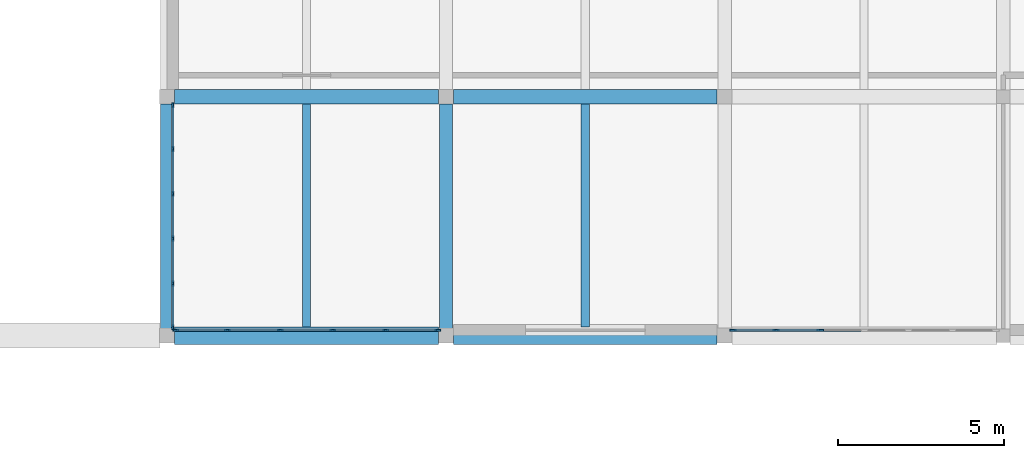
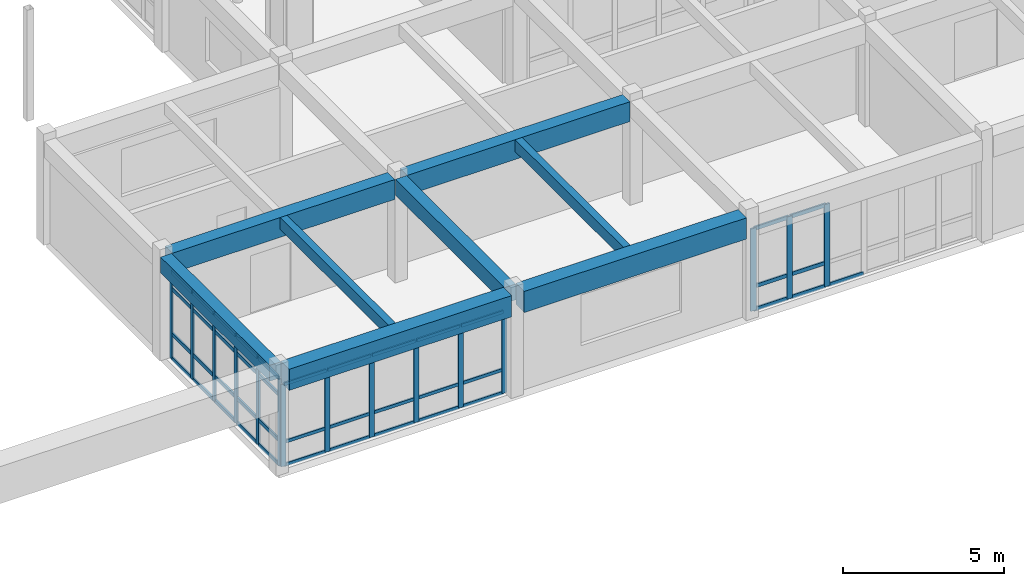
# One storey, part 41 of 147: 57 members, 8 beams, 3 elements without a shape of their own.
"""IFC4 building model written with IfcOpenShell, lengths in metres."""

import ifcopenshell
import ifcopenshell.guid

model = None  # the IFC model being written
_history = None  # IfcOwnerHistory: only IFC2X3 demands one
_inside = {}  # id of a spatial element -> (the spatial element, [elements in it])
_under = {}  # id of a project, library or spatial element -> (it, [spatial elements below it])
_declared = {}  # id of a project -> (the project, [libraries it declares])
_typed = {}  # id of a type object -> (the type object, [elements of that type])
_made_of = {}  # id of a material, layer set ... -> (it, [elements and type objects made of it])


def new_model(schema):
    """Start an empty IFC model of exactly this schema.

    Asked for "IFC4X3", IfcOpenShell would pick the latest addendum, in which some entities
    have other attributes; the version numbers below select the first issue.
    IFC2X3 requires an IfcOwnerHistory on every rooted entity: one is made here for all.
    """
    global model, _history
    if schema == "IFC4X3":
        model = ifcopenshell.file(schema_version=(4, 3, 0, 0))
    else:
        model = ifcopenshell.file(schema=schema)
    _inside.clear()
    _under.clear()
    _declared.clear()
    _typed.clear()
    _made_of.clear()
    _history = None
    if model.schema == "IFC2X3":
        org = make("IfcOrganization", Name="unknown")
        user = make(
            "IfcPersonAndOrganization",
            ThePerson=make("IfcPerson", FamilyName="unknown"),
            TheOrganization=org,
        )
        app = make(
            "IfcApplication",
            ApplicationDeveloper=org,
            Version="unknown",
            ApplicationFullName="unknown",
            ApplicationIdentifier="unknown",
        )
        _history = make(
            "IfcOwnerHistory",
            OwningUser=user,
            OwningApplication=app,
            ChangeAction="ADDED",
            CreationDate=0,
        )
    return model


def make(cls, **values):
    """One entity of the class cls with the attributes given. An attribute that is None is left unset."""
    return model.create_entity(
        cls, **{name: value for name, value in values.items() if value is not None}
    )


def rooted(cls, **values):
    """An entity with a GlobalId (a new one), such as an element, a storey or a relation."""
    return make(cls, GlobalId=ifcopenshell.guid.new(), OwnerHistory=_history, **values)


def si_unit(unit_type, name, prefix=None):
    """IfcSIUnit, for example si_unit("LENGTHUNIT", "METRE", prefix="MILLI")."""
    return make("IfcSIUnit", UnitType=unit_type, Prefix=prefix, Name=name)


def assignment(units):
    """IfcUnitAssignment: the units of a project."""
    return None if units is None else make("IfcUnitAssignment", Units=units)


def point(xyz):
    """IfcCartesianPoint."""
    return None if xyz is None else make("IfcCartesianPoint", Coordinates=xyz)


def direction(xyz):
    """IfcDirection."""
    return None if xyz is None else make("IfcDirection", DirectionRatios=xyz)


def frame(location, z_axis=None, x_axis=None):
    """IfcAxis2Placement3D, a coordinate frame: its origin and axes. An axis left out is left unset."""
    return make(
        "IfcAxis2Placement3D",
        Location=point(location),
        Axis=direction(z_axis),
        RefDirection=direction(x_axis),
    )


def frame_2d(location, x_axis=None):
    """IfcAxis2Placement2D, a coordinate frame in the plane: its origin and x axis."""
    return make(
        "IfcAxis2Placement2D", Location=point(location), RefDirection=direction(x_axis)
    )


def origin():
    """The frame at (0, 0, 0) with its axes left unset."""
    return frame((0.0, 0.0, 0.0))


def origin_2d():
    """The frame at (0, 0) in the plane with its x axis left unset."""
    return frame_2d((0.0, 0.0))


def place(relative_to, where):
    """IfcLocalPlacement: puts the frame where relative to a parent placement (None: the world)."""
    return make(
        "IfcLocalPlacement", PlacementRelTo=relative_to, RelativePlacement=where
    )


def context(
    kind, dimensions, precision=None, world=None, true_north=None, identifier=None
):
    """IfcGeometricRepresentationContext, for example the 3D "Model" context."""
    return make(
        "IfcGeometricRepresentationContext",
        ContextIdentifier=identifier,
        ContextType=kind,
        CoordinateSpaceDimension=dimensions,
        Precision=precision,
        WorldCoordinateSystem=world,
        TrueNorth=true_north,
    )


def subcontext(parent, identifier, kind, view, scale=None):
    """IfcGeometricRepresentationSubContext, for example "Body" below "Model"."""
    return make(
        "IfcGeometricRepresentationSubContext",
        ContextIdentifier=identifier,
        ContextType=kind,
        ParentContext=parent,
        TargetScale=scale,
        TargetView=view,
    )


def project(units=None, contexts=None):
    """IfcProject with its units and contexts."""
    return rooted(
        "IfcProject",
        Name="project",
        RepresentationContexts=contexts,
        UnitsInContext=assignment(units),
    )


def spatial(cls, under=None, at=None, **own):
    """A site, building, storey or space (cls), placed at a placement, below another one or the project."""
    s = rooted(cls, ObjectPlacement=at, **own)
    if under is not None:
        _under.setdefault(under.id(), (under, []))[1].append(s)
    return s


def profile(cls, at=None, kind="AREA", **sizes):
    """A parametric profile (cls). Its sizes go by their IFC names, for example OverallWidth=200.0."""
    return make(cls, ProfileType=kind, Position=at, **sizes)


def rectangle(**sizes):
    """IfcRectangleProfileDef."""
    return profile("IfcRectangleProfileDef", **sizes)


def extrude(swept, where, along, depth):
    """IfcExtrudedAreaSolid: the profile swept, set in the frame where, extruded along a direction by depth."""
    return make(
        "IfcExtrudedAreaSolid",
        SweptArea=swept,
        Position=where,
        ExtrudedDirection=direction(along),
        Depth=depth,
    )


def shape(context_of_items, identifier, shape_type, items):
    """IfcShapeRepresentation: the items that make up one representation, for example the "Body"."""
    return make(
        "IfcShapeRepresentation",
        ContextOfItems=context_of_items,
        RepresentationIdentifier=identifier,
        RepresentationType=shape_type,
        Items=items,
    )


def material(Name=None, Category=None):
    """IfcMaterial."""
    return make("IfcMaterial", Name=Name, Category=Category)


def material_profile(
    of_material, cross_section, Name=None, Category=None, Priority=None
):
    """IfcMaterialProfile: a cross section and its material."""
    return make(
        "IfcMaterialProfile",
        Name=Name,
        Material=of_material,
        Profile=cross_section,
        Priority=Priority,
        Category=Category,
    )


def profile_set(profiles, Name=None, composite=None):
    """IfcMaterialProfileSet."""
    return make(
        "IfcMaterialProfileSet",
        Name=Name,
        MaterialProfiles=profiles,
        CompositeProfile=composite,
    )


def made_of(thing, what):
    """Note that an element or type object is made of a material, layer set ...; save() writes the relation."""
    if what is not None:
        _made_of.setdefault(what.id(), (what, []))[1].append(thing)
    return thing


def type_object(cls, material=None, **own):
    """A type object (cls), such as IfcWallType, which elements share."""
    return made_of(rooted(cls, **own), material)


def element(
    cls,
    number,
    at=None,
    inside=None,
    cuts=None,
    type_object=None,
    material=None,
    context=None,
    identifier="Body",
    shape_type=None,
    held_by="IfcProductDefinitionShape",
    body=None,
    shapes=None,
    **own,
):
    """One element of the class cls, such as IfcWall. Its Tag is "e" and its number.

    at: its placement. inside: the storey or other place that contains it. cuts: it is an
    opening in that element (IfcRelVoidsElement). A single representation is given by context,
    identifier, shape_type and body (its items); several are given by shapes. held_by: the class
    of the entity that holds the representations. save() writes the other relations.
    """
    e = rooted(cls, Tag="e%d" % number, ObjectPlacement=at, **own)
    if body is not None:
        shapes = [shape(context, identifier, shape_type, body)]
    if shapes is not None:
        e.Representation = make(held_by, Representations=shapes)
    if inside is not None:
        _inside.setdefault(inside.id(), (inside, []))[1].append(e)
    if cuts is not None:
        rooted(
            "IfcRelVoidsElement", RelatingBuildingElement=cuts, RelatedOpeningElement=e
        )
    if type_object is not None:
        _typed.setdefault(type_object.id(), (type_object, []))[1].append(e)
    return made_of(e, material)


def aggregate(whole, parts):
    """IfcRelAggregates: a whole, such as a stair, and the parts it consists of."""
    return rooted("IfcRelAggregates", RelatingObject=whole, RelatedObjects=parts)


def save(model, path):
    """Write the relations noted so far, then the file.

    IfcRelAggregates (storeys below a building ...), IfcRelContainedInSpatialStructure (elements
    in a storey), IfcRelDefinesByType, IfcRelAssociatesMaterial and IfcRelDeclares: one each for
    every whole, place, type object, material and project.
    """
    for whole, parts in _under.values():
        aggregate(whole, parts)
    for where, things in _inside.values():
        rooted(
            "IfcRelContainedInSpatialStructure",
            RelatedElements=things,
            RelatingStructure=where,
        )
    for kind, things in _typed.values():
        rooted("IfcRelDefinesByType", RelatedObjects=things, RelatingType=kind)
    for what, things in _made_of.values():
        rooted("IfcRelAssociatesMaterial", RelatedObjects=things, RelatingMaterial=what)
    for by, libraries in _declared.values():
        rooted("IfcRelDeclares", RelatingContext=by, RelatedDefinitions=libraries)
    model.write(path)


model = new_model("IFC4")

# Units and contexts
model_context = context("Model", 3, precision=1e-05, world=origin(), true_north=direction((0.0, 1.0)))
body_context = subcontext(model_context, "Body", "Model", "MODEL_VIEW")
ifc_project = project(units=[si_unit("LENGTHUNIT", "METRE"), si_unit("AREAUNIT", "SQUARE_METRE"), si_unit("VOLUMEUNIT", "CUBIC_METRE"), si_unit("PLANEANGLEUNIT", "RADIAN"), si_unit("MASSUNIT", "GRAM", prefix="KILO")], contexts=[model_context])

# Site, building, storey
site_placement = place(None, origin())
site = spatial("IfcSite", under=ifc_project, at=site_placement, CompositionType="ELEMENT")
building_placement = place(site_placement, origin())
building = spatial("IfcBuilding", under=site, at=building_placement, Name="Malvenik Polytechnic", CompositionType="ELEMENT")
storey_placement = place(building_placement, frame((0.0, 0.0, 5.10009765625)))
storey = spatial("IfcBuildingStorey", under=building, at=storey_placement, Name="L01", CompositionType="ELEMENT", Elevation=5.10009765625)

# Curtain wall, members
ifc_material_1 = material(Name="Anodised aluminium 6060-T6", Category="aluminium")
curtain_wall_type_1 = type_object("IfcCurtainWallType", Name="ARC-CW-CW-05", PredefinedType="NOTDEFINED", material=ifc_material_1)
curtain_wall_1_placement = place(storey_placement, origin())
curtain_wall_1 = element("IfcCurtainWall", 1, at=curtain_wall_1_placement, inside=storey, type_object=curtain_wall_type_1, Name="Unitised Curtain Wall CW-05 L01 #116", PredefinedType="NOTDEFINED")
ifc_material_2 = material(Name="Anodised aluminium", Category="aluminium")
ifc_material_profile_1 = material_profile(ifc_material_2, rectangle(XDim=0.06005859375, YDim=0.159912109375, at=origin_2d()), Name="ALU MULLION 60x160")
ifc_profile_set_1 = profile_set([ifc_material_profile_1], Name="Anodised aluminium")
member_type_1 = type_object("IfcMemberType", Name="ARC-CWM-160", PredefinedType="MULLION", material=ifc_profile_set_1)
member_1_placement = place(storey_placement, frame((67.3701171875, 21.85302734375, 0.0), z_axis=(0.0, 0.0, 1.0), x_axis=(-1.0, 0.0, 0.0)))
member_1 = element("IfcMember", 2, at=member_1_placement, type_object=member_type_1, Name="CW-05 mullion 1", PredefinedType="MULLION", context=body_context, shape_type="SweptSolid", body=[
    extrude(rectangle(XDim=0.06005859375, YDim=0.159912109375, at=origin_2d()), origin(), (0.0, 0.0, 1.0), 3.309814453125),
])
member_2_placement = place(storey_placement, frame((67.3701171875, 23.173828125, 0.0), z_axis=(0.0, 0.0, 1.0), x_axis=(-1.0, 0.0, 0.0)))
member_2 = element("IfcMember", 3, at=member_2_placement, type_object=member_type_1, Name="CW-05 mullion 2", PredefinedType="MULLION", context=body_context, shape_type="SweptSolid", body=[
    extrude(rectangle(XDim=0.06005859375, YDim=0.159912109375, at=origin_2d()), origin(), (0.0, 0.0, 1.0), 3.309814453125),
])
member_3_placement = place(storey_placement, frame((67.3701171875, 24.524658203125, 0.0), z_axis=(0.0, 0.0, 1.0), x_axis=(-1.0, 0.0, 0.0)))
member_3 = element("IfcMember", 4, at=member_3_placement, type_object=member_type_1, Name="CW-05 mullion 3", PredefinedType="MULLION", context=body_context, shape_type="SweptSolid", body=[
    extrude(rectangle(XDim=0.06005859375, YDim=0.159912109375, at=origin_2d()), origin(), (0.0, 0.0, 1.0), 3.309814453125),
])
member_4_placement = place(storey_placement, frame((67.3701171875, 25.87548828125, 0.0), z_axis=(0.0, 0.0, 1.0), x_axis=(-1.0, 0.0, 0.0)))
member_4 = element("IfcMember", 5, at=member_4_placement, type_object=member_type_1, Name="CW-05 mullion 4", PredefinedType="MULLION", context=body_context, shape_type="SweptSolid", body=[
    extrude(rectangle(XDim=0.06005859375, YDim=0.159912109375, at=origin_2d()), origin(), (0.0, 0.0, 1.0), 3.309814453125),
])
member_5_placement = place(storey_placement, frame((67.3701171875, 27.226318359375, 0.0), z_axis=(0.0, 0.0, 1.0), x_axis=(-1.0, 0.0, 0.0)))
member_5 = element("IfcMember", 6, at=member_5_placement, type_object=member_type_1, Name="CW-05 mullion 5", PredefinedType="MULLION", context=body_context, shape_type="SweptSolid", body=[
    extrude(rectangle(XDim=0.06005859375, YDim=0.159912109375, at=origin_2d()), origin(), (0.0, 0.0, 1.0), 3.309814453125),
])
member_6_placement = place(storey_placement, frame((67.3701171875, 28.547119140625, 0.0), z_axis=(0.0, 0.0, 1.0), x_axis=(-1.0, 0.0, 0.0)))
member_6 = element("IfcMember", 7, at=member_6_placement, type_object=member_type_1, Name="CW-05 mullion 6", PredefinedType="MULLION", context=body_context, shape_type="SweptSolid", body=[
    extrude(rectangle(XDim=0.06005859375, YDim=0.159912109375, at=origin_2d()), origin(), (0.0, 0.0, 1.0), 3.309814453125),
])

curtain_wall_type_2 = type_object("IfcCurtainWallType", Name="ARC-CW-CW-02", PredefinedType="NOTDEFINED", material=ifc_material_1)
curtain_wall_2_placement = place(storey_placement, origin())
curtain_wall_2 = element("IfcCurtainWall", 8, at=curtain_wall_2_placement, inside=storey, type_object=curtain_wall_type_2, Name="Unitised Curtain Wall CW-02 L01 #115", PredefinedType="NOTDEFINED")
ifc_material_profile_2 = material_profile(ifc_material_2, rectangle(XDim=0.06005859375, YDim=0.179931640625, at=origin_2d()), Name="ALU MULLION 60x180")
ifc_profile_set_2 = profile_set([ifc_material_profile_2], Name="Anodised aluminium")
member_type_2 = type_object("IfcMemberType", Name="ARC-CWM-180", PredefinedType="MULLION", material=ifc_profile_set_2)
member_7_placement = place(storey_placement, frame((75.346923828125, 21.77001953125, 0.0), z_axis=(0.0, 0.0, 1.0), x_axis=(0.0, -1.0, 0.0)))
member_7 = element("IfcMember", 9, at=member_7_placement, type_object=member_type_2, Name="CW-02 mullion 1", PredefinedType="MULLION", context=body_context, shape_type="SweptSolid", body=[
    extrude(rectangle(XDim=0.06005859375, YDim=0.179931640625, at=origin_2d()), origin(), (0.0, 0.0, 1.0), 3.10986328125),
])
member_8_placement = place(storey_placement, frame((73.7861328125, 21.77001953125, 0.0), z_axis=(0.0, 0.0, 1.0), x_axis=(0.0, -1.0, 0.0)))
member_8 = element("IfcMember", 10, at=member_8_placement, type_object=member_type_2, Name="CW-02 mullion 2", PredefinedType="MULLION", context=body_context, shape_type="SweptSolid", body=[
    extrude(rectangle(XDim=0.06005859375, YDim=0.179931640625, at=origin_2d()), origin(), (0.0, 0.0, 1.0), 3.10986328125),
])
member_9_placement = place(storey_placement, frame((72.1953125, 21.77001953125, 0.0), z_axis=(0.0, 0.0, 1.0), x_axis=(0.0, -1.0, 0.0)))
member_9 = element("IfcMember", 11, at=member_9_placement, type_object=member_type_2, Name="CW-02 mullion 3", PredefinedType="MULLION", context=body_context, shape_type="SweptSolid", body=[
    extrude(rectangle(XDim=0.06005859375, YDim=0.179931640625, at=origin_2d()), origin(), (0.0, 0.0, 1.0), 3.10986328125),
])
member_10_placement = place(storey_placement, frame((70.6044921875, 21.77001953125, 0.0), z_axis=(0.0, 0.0, 1.0), x_axis=(0.0, -1.0, 0.0)))
member_10 = element("IfcMember", 12, at=member_10_placement, type_object=member_type_2, Name="CW-02 mullion 4", PredefinedType="MULLION", context=body_context, shape_type="SweptSolid", body=[
    extrude(rectangle(XDim=0.06005859375, YDim=0.179931640625, at=origin_2d()), origin(), (0.0, 0.0, 1.0), 3.10986328125),
])
member_11_placement = place(storey_placement, frame((69.013916015625, 21.77001953125, 0.0), z_axis=(0.0, 0.0, 1.0), x_axis=(0.0, -1.0, 0.0)))
member_11 = element("IfcMember", 13, at=member_11_placement, type_object=member_type_2, Name="CW-02 mullion 5", PredefinedType="MULLION", context=body_context, shape_type="SweptSolid", body=[
    extrude(rectangle(XDim=0.06005859375, YDim=0.179931640625, at=origin_2d()), origin(), (0.0, 0.0, 1.0), 3.10986328125),
])
member_12_placement = place(storey_placement, frame((67.452880859375, 21.77001953125, 0.0), z_axis=(0.0, 0.0, 1.0), x_axis=(0.0, -1.0, 0.0)))
member_12 = element("IfcMember", 14, at=member_12_placement, type_object=member_type_2, Name="CW-02 mullion 6", PredefinedType="MULLION", context=body_context, shape_type="SweptSolid", body=[
    extrude(rectangle(XDim=0.06005859375, YDim=0.179931640625, at=origin_2d()), origin(), (0.0, 0.0, 1.0), 3.10986328125),
])

curtain_wall_3_placement = place(storey_placement, origin())
curtain_wall_3 = element("IfcCurtainWall", 15, at=curtain_wall_3_placement, inside=storey, type_object=curtain_wall_type_2, Name="Unitised Curtain Wall CW-02 L01 #114", PredefinedType="NOTDEFINED")
ifc_material_profile_3 = material_profile(ifc_material_2, rectangle(XDim=0.06005859375, YDim=0.199951171875, at=origin_2d()), Name="ALU MULLION 60x200")
ifc_profile_set_3 = profile_set([ifc_material_profile_3], Name="Anodised aluminium")
member_type_3 = type_object("IfcMemberType", Name="ARC-CWM-200", PredefinedType="MULLION", material=ifc_profile_set_3)
member_13_placement = place(storey_placement, frame((86.882568359375, 21.77001953125, 0.0), z_axis=(0.0, 0.0, 1.0), x_axis=(0.0, -1.0, 0.0)))
member_13 = element("IfcMember", 16, at=member_13_placement, type_object=member_type_3, Name="CW-02 mullion 5", PredefinedType="MULLION", context=body_context, shape_type="SweptSolid", body=[
    extrude(rectangle(XDim=0.06005859375, YDim=0.199951171875, at=origin_2d()), origin(), (0.0, 0.0, 1.0), 3.10986328125),
])
member_14_placement = place(storey_placement, frame((85.552734375, 21.77001953125, 0.0), z_axis=(0.0, 0.0, 1.0), x_axis=(0.0, -1.0, 0.0)))
member_14 = element("IfcMember", 17, at=member_14_placement, type_object=member_type_3, Name="CW-02 mullion 6", PredefinedType="MULLION", context=body_context, shape_type="SweptSolid", body=[
    extrude(rectangle(XDim=0.06005859375, YDim=0.199951171875, at=origin_2d()), origin(), (0.0, 0.0, 1.0), 3.10986328125),
])
member_15_placement = place(storey_placement, frame((84.2529296875, 21.77001953125, 0.0), z_axis=(0.0, 0.0, 1.0), x_axis=(0.0, -1.0, 0.0)))
member_15 = element("IfcMember", 18, at=member_15_placement, type_object=member_type_3, Name="CW-02 mullion 7", PredefinedType="MULLION", context=body_context, shape_type="SweptSolid", body=[
    extrude(rectangle(XDim=0.06005859375, YDim=0.199951171875, at=origin_2d()), origin(), (0.0, 0.0, 1.0), 3.10986328125),
])

# Member
ifc_material_profile_4 = material_profile(ifc_material_2, rectangle(XDim=0.06005859375, YDim=0.1201171875, at=origin_2d()), Name="ALU TRANSOM 60x120")
ifc_profile_set_4 = profile_set([ifc_material_profile_4], Name="Anodised aluminium")
member_type_4 = type_object("IfcMemberType", Name="ARC-CWT-120", PredefinedType="USERDEFINED", material=ifc_profile_set_4)
member_16_placement = place(storey_placement, frame((75.31689453125, 21.77001953125, 0.02978515625), z_axis=(-1.0, 0.0, 0.0), x_axis=(0.0, -1.0, 0.0)))
member_16 = element("IfcMember", 19, at=member_16_placement, type_object=member_type_4, Name="CW-02 transom 1.1", ObjectType="TRANSOM", PredefinedType="USERDEFINED", context=body_context, shape_type="SweptSolid", body=[
    extrude(rectangle(XDim=0.06005859375, YDim=0.1201171875, at=origin_2d()), origin(), (0.0, 0.0, 1.0), 1.500732421875),
])

member_17_placement = place(storey_placement, frame((75.31689453125, 21.77001953125, 0.89990234375), z_axis=(-1.0, 0.0, 0.0), x_axis=(0.0, -1.0, 0.0)))
member_17 = element("IfcMember", 20, at=member_17_placement, type_object=member_type_4, Name="CW-02 transom 1.2", ObjectType="TRANSOM", PredefinedType="USERDEFINED", context=body_context, shape_type="SweptSolid", body=[
    extrude(rectangle(XDim=0.06005859375, YDim=0.1201171875, at=origin_2d()), origin(), (0.0, 0.0, 1.0), 1.500732421875),
])

member_18_placement = place(storey_placement, frame((75.31689453125, 21.77001953125, 3.079833984375), z_axis=(-1.0, 0.0, 0.0), x_axis=(0.0, -1.0, 0.0)))
member_18 = element("IfcMember", 21, at=member_18_placement, type_object=member_type_4, Name="CW-02 transom 1.3", ObjectType="TRANSOM", PredefinedType="USERDEFINED", context=body_context, shape_type="SweptSolid", body=[
    extrude(rectangle(XDim=0.06005859375, YDim=0.1201171875, at=origin_2d()), origin(), (0.0, 0.0, 1.0), 1.500732421875),
])

member_19_placement = place(storey_placement, frame((73.756103515625, 21.77001953125, 0.02978515625), z_axis=(-1.0, 0.0, 0.0), x_axis=(0.0, -1.0, 0.0)))
member_19 = element("IfcMember", 22, at=member_19_placement, type_object=member_type_4, Name="CW-02 transom 2.1", ObjectType="TRANSOM", PredefinedType="USERDEFINED", context=body_context, shape_type="SweptSolid", body=[
    extrude(rectangle(XDim=0.06005859375, YDim=0.1201171875, at=origin_2d()), origin(), (0.0, 0.0, 1.0), 1.53076171875),
])

member_20_placement = place(storey_placement, frame((73.756103515625, 21.77001953125, 0.89990234375), z_axis=(-1.0, 0.0, 0.0), x_axis=(0.0, -1.0, 0.0)))
member_20 = element("IfcMember", 23, at=member_20_placement, type_object=member_type_4, Name="CW-02 transom 2.2", ObjectType="TRANSOM", PredefinedType="USERDEFINED", context=body_context, shape_type="SweptSolid", body=[
    extrude(rectangle(XDim=0.06005859375, YDim=0.1201171875, at=origin_2d()), origin(), (0.0, 0.0, 1.0), 1.53076171875),
])

member_21_placement = place(storey_placement, frame((73.756103515625, 21.77001953125, 3.079833984375), z_axis=(-1.0, 0.0, 0.0), x_axis=(0.0, -1.0, 0.0)))
member_21 = element("IfcMember", 24, at=member_21_placement, type_object=member_type_4, Name="CW-02 transom 2.3", ObjectType="TRANSOM", PredefinedType="USERDEFINED", context=body_context, shape_type="SweptSolid", body=[
    extrude(rectangle(XDim=0.06005859375, YDim=0.1201171875, at=origin_2d()), origin(), (0.0, 0.0, 1.0), 1.53076171875),
])

member_22_placement = place(storey_placement, frame((72.165283203125, 21.77001953125, 0.02978515625), z_axis=(-1.0, 0.0, 0.0), x_axis=(0.0, -1.0, 0.0)))
member_22 = element("IfcMember", 25, at=member_22_placement, type_object=member_type_4, Name="CW-02 transom 3.1", ObjectType="TRANSOM", PredefinedType="USERDEFINED", context=body_context, shape_type="SweptSolid", body=[
    extrude(rectangle(XDim=0.06005859375, YDim=0.1201171875, at=origin_2d()), origin(), (0.0, 0.0, 1.0), 1.53076171875),
])

member_23_placement = place(storey_placement, frame((72.165283203125, 21.77001953125, 0.89990234375), z_axis=(-1.0, 0.0, 0.0), x_axis=(0.0, -1.0, 0.0)))
member_23 = element("IfcMember", 26, at=member_23_placement, type_object=member_type_4, Name="CW-02 transom 3.2", ObjectType="TRANSOM", PredefinedType="USERDEFINED", context=body_context, shape_type="SweptSolid", body=[
    extrude(rectangle(XDim=0.06005859375, YDim=0.1201171875, at=origin_2d()), origin(), (0.0, 0.0, 1.0), 1.53076171875),
])

member_24_placement = place(storey_placement, frame((72.165283203125, 21.77001953125, 3.079833984375), z_axis=(-1.0, 0.0, 0.0), x_axis=(0.0, -1.0, 0.0)))
member_24 = element("IfcMember", 27, at=member_24_placement, type_object=member_type_4, Name="CW-02 transom 3.3", ObjectType="TRANSOM", PredefinedType="USERDEFINED", context=body_context, shape_type="SweptSolid", body=[
    extrude(rectangle(XDim=0.06005859375, YDim=0.1201171875, at=origin_2d()), origin(), (0.0, 0.0, 1.0), 1.53076171875),
])

member_25_placement = place(storey_placement, frame((70.57470703125, 21.77001953125, 0.02978515625), z_axis=(-1.0, 0.0, 0.0), x_axis=(0.0, -1.0, 0.0)))
member_25 = element("IfcMember", 28, at=member_25_placement, type_object=member_type_4, Name="CW-02 transom 4.1", ObjectType="TRANSOM", PredefinedType="USERDEFINED", context=body_context, shape_type="SweptSolid", body=[
    extrude(rectangle(XDim=0.06005859375, YDim=0.1201171875, at=origin_2d()), origin(), (0.0, 0.0, 1.0), 1.531005859375),
])

member_26_placement = place(storey_placement, frame((70.57470703125, 21.77001953125, 0.89990234375), z_axis=(-1.0, 0.0, 0.0), x_axis=(0.0, -1.0, 0.0)))
member_26 = element("IfcMember", 29, at=member_26_placement, type_object=member_type_4, Name="CW-02 transom 4.2", ObjectType="TRANSOM", PredefinedType="USERDEFINED", context=body_context, shape_type="SweptSolid", body=[
    extrude(rectangle(XDim=0.06005859375, YDim=0.1201171875, at=origin_2d()), origin(), (0.0, 0.0, 1.0), 1.531005859375),
])

member_27_placement = place(storey_placement, frame((70.57470703125, 21.77001953125, 3.079833984375), z_axis=(-1.0, 0.0, 0.0), x_axis=(0.0, -1.0, 0.0)))
member_27 = element("IfcMember", 30, at=member_27_placement, type_object=member_type_4, Name="CW-02 transom 4.3", ObjectType="TRANSOM", PredefinedType="USERDEFINED", context=body_context, shape_type="SweptSolid", body=[
    extrude(rectangle(XDim=0.06005859375, YDim=0.1201171875, at=origin_2d()), origin(), (0.0, 0.0, 1.0), 1.531005859375),
])

member_28_placement = place(storey_placement, frame((68.98388671875, 21.77001953125, 0.02978515625), z_axis=(-1.0, 0.0, 0.0), x_axis=(0.0, -1.0, 0.0)))
member_28 = element("IfcMember", 31, at=member_28_placement, type_object=member_type_4, Name="CW-02 transom 5.1", ObjectType="TRANSOM", PredefinedType="USERDEFINED", context=body_context, shape_type="SweptSolid", body=[
    extrude(rectangle(XDim=0.06005859375, YDim=0.1201171875, at=origin_2d()), origin(), (0.0, 0.0, 1.0), 1.5009765625),
])

member_29_placement = place(storey_placement, frame((68.98388671875, 21.77001953125, 0.89990234375), z_axis=(-1.0, 0.0, 0.0), x_axis=(0.0, -1.0, 0.0)))
member_29 = element("IfcMember", 32, at=member_29_placement, type_object=member_type_4, Name="CW-02 transom 5.2", ObjectType="TRANSOM", PredefinedType="USERDEFINED", context=body_context, shape_type="SweptSolid", body=[
    extrude(rectangle(XDim=0.06005859375, YDim=0.1201171875, at=origin_2d()), origin(), (0.0, 0.0, 1.0), 1.5009765625),
])

member_30_placement = place(storey_placement, frame((68.98388671875, 21.77001953125, 3.079833984375), z_axis=(-1.0, 0.0, 0.0), x_axis=(0.0, -1.0, 0.0)))
member_30 = element("IfcMember", 33, at=member_30_placement, type_object=member_type_4, Name="CW-02 transom 5.3", ObjectType="TRANSOM", PredefinedType="USERDEFINED", context=body_context, shape_type="SweptSolid", body=[
    extrude(rectangle(XDim=0.06005859375, YDim=0.1201171875, at=origin_2d()), origin(), (0.0, 0.0, 1.0), 1.5009765625),
])

aggregate(curtain_wall_2, [member_7, member_8, member_9, member_10, member_11, member_12, member_16, member_17, member_18, member_19, member_20, member_21, member_22, member_23, member_24, member_25, member_26, member_27, member_28, member_29, member_30])

ifc_material_profile_5 = material_profile(ifc_material_2, rectangle(XDim=0.06005859375, YDim=0.139892578125, at=origin_2d()), Name="ALU TRANSOM 60x140")
ifc_profile_set_5 = profile_set([ifc_material_profile_5], Name="Anodised aluminium")
member_type_5 = type_object("IfcMemberType", Name="ARC-CWT-140", PredefinedType="USERDEFINED", material=ifc_profile_set_5)
member_31_placement = place(storey_placement, frame((88.1826171875, 21.77001953125, 0.02978515625), z_axis=(-1.0, 0.0, 0.0), x_axis=(0.0, -1.0, 0.0)))
member_31 = element("IfcMember", 34, at=member_31_placement, type_object=member_type_5, Name="CW-02 transom 4.1", ObjectType="TRANSOM", PredefinedType="USERDEFINED", context=body_context, shape_type="SweptSolid", body=[
    extrude(rectangle(XDim=0.06005859375, YDim=0.139892578125, at=origin_2d()), origin(), (0.0, 0.0, 1.0), 1.27001953125),
])

member_32_placement = place(storey_placement, frame((86.852783203125, 21.77001953125, 0.02978515625), z_axis=(-1.0, 0.0, 0.0), x_axis=(0.0, -1.0, 0.0)))
member_32 = element("IfcMember", 35, at=member_32_placement, type_object=member_type_5, Name="CW-02 transom 5.1", ObjectType="TRANSOM", PredefinedType="USERDEFINED", context=body_context, shape_type="SweptSolid", body=[
    extrude(rectangle(XDim=0.06005859375, YDim=0.139892578125, at=origin_2d()), origin(), (0.0, 0.0, 1.0), 1.27001953125),
])

member_33_placement = place(storey_placement, frame((86.852783203125, 21.77001953125, 0.89990234375), z_axis=(-1.0, 0.0, 0.0), x_axis=(0.0, -1.0, 0.0)))
member_33 = element("IfcMember", 36, at=member_33_placement, type_object=member_type_5, Name="CW-02 transom 5.2", ObjectType="TRANSOM", PredefinedType="USERDEFINED", context=body_context, shape_type="SweptSolid", body=[
    extrude(rectangle(XDim=0.06005859375, YDim=0.139892578125, at=origin_2d()), origin(), (0.0, 0.0, 1.0), 1.27001953125),
])

member_34_placement = place(storey_placement, frame((86.852783203125, 21.77001953125, 3.079833984375), z_axis=(-1.0, 0.0, 0.0), x_axis=(0.0, -1.0, 0.0)))
member_34 = element("IfcMember", 37, at=member_34_placement, type_object=member_type_5, Name="CW-02 transom 5.3", ObjectType="TRANSOM", PredefinedType="USERDEFINED", context=body_context, shape_type="SweptSolid", body=[
    extrude(rectangle(XDim=0.06005859375, YDim=0.139892578125, at=origin_2d()), origin(), (0.0, 0.0, 1.0), 1.27001953125),
])

member_35_placement = place(storey_placement, frame((85.52294921875, 21.77001953125, 0.02978515625), z_axis=(-1.0, 0.0, 0.0), x_axis=(0.0, -1.0, 0.0)))
member_35 = element("IfcMember", 38, at=member_35_placement, type_object=member_type_5, Name="CW-02 transom 6.1", ObjectType="TRANSOM", PredefinedType="USERDEFINED", context=body_context, shape_type="SweptSolid", body=[
    extrude(rectangle(XDim=0.06005859375, YDim=0.139892578125, at=origin_2d()), origin(), (0.0, 0.0, 1.0), 1.239990234375),
])

member_36_placement = place(storey_placement, frame((85.52294921875, 21.77001953125, 0.89990234375), z_axis=(-1.0, 0.0, 0.0), x_axis=(0.0, -1.0, 0.0)))
member_36 = element("IfcMember", 39, at=member_36_placement, type_object=member_type_5, Name="CW-02 transom 6.2", ObjectType="TRANSOM", PredefinedType="USERDEFINED", context=body_context, shape_type="SweptSolid", body=[
    extrude(rectangle(XDim=0.06005859375, YDim=0.139892578125, at=origin_2d()), origin(), (0.0, 0.0, 1.0), 1.239990234375),
])

member_37_placement = place(storey_placement, frame((85.52294921875, 21.77001953125, 3.079833984375), z_axis=(-1.0, 0.0, 0.0), x_axis=(0.0, -1.0, 0.0)))
member_37 = element("IfcMember", 40, at=member_37_placement, type_object=member_type_5, Name="CW-02 transom 6.3", ObjectType="TRANSOM", PredefinedType="USERDEFINED", context=body_context, shape_type="SweptSolid", body=[
    extrude(rectangle(XDim=0.06005859375, YDim=0.139892578125, at=origin_2d()), origin(), (0.0, 0.0, 1.0), 1.239990234375),
])

aggregate(curtain_wall_3, [member_13, member_14, member_15, member_31, member_32, member_33, member_34, member_35, member_36, member_37])

member_38_placement = place(storey_placement, frame((67.3701171875, 21.883056640625, 0.02978515625), z_axis=(0.0, 1.0, 0.0), x_axis=(-1.0, 0.0, 0.0)))
member_38 = element("IfcMember", 41, at=member_38_placement, type_object=member_type_5, Name="CW-05 transom 1.1", ObjectType="TRANSOM", PredefinedType="USERDEFINED", context=body_context, shape_type="SweptSolid", body=[
    extrude(rectangle(XDim=0.06005859375, YDim=0.139892578125, at=origin_2d()), origin(), (0.0, 0.0, 1.0), 1.2607421875),
])

member_39_placement = place(storey_placement, frame((67.3701171875, 21.883056640625, 0.949951171875), z_axis=(0.0, 1.0, 0.0), x_axis=(-1.0, 0.0, 0.0)))
member_39 = element("IfcMember", 42, at=member_39_placement, type_object=member_type_5, Name="CW-05 transom 1.2", ObjectType="TRANSOM", PredefinedType="USERDEFINED", context=body_context, shape_type="SweptSolid", body=[
    extrude(rectangle(XDim=0.06005859375, YDim=0.139892578125, at=origin_2d()), origin(), (0.0, 0.0, 1.0), 1.2607421875),
])

member_40_placement = place(storey_placement, frame((67.3701171875, 21.883056640625, 2.659912109375), z_axis=(0.0, 1.0, 0.0), x_axis=(-1.0, 0.0, 0.0)))
member_40 = element("IfcMember", 43, at=member_40_placement, type_object=member_type_5, Name="CW-05 transom 1.3", ObjectType="TRANSOM", PredefinedType="USERDEFINED", context=body_context, shape_type="SweptSolid", body=[
    extrude(rectangle(XDim=0.06005859375, YDim=0.139892578125, at=origin_2d()), origin(), (0.0, 0.0, 1.0), 1.2607421875),
])

member_41_placement = place(storey_placement, frame((67.3701171875, 21.883056640625, 3.27978515625), z_axis=(0.0, 1.0, 0.0), x_axis=(-1.0, 0.0, 0.0)))
member_41 = element("IfcMember", 44, at=member_41_placement, type_object=member_type_5, Name="CW-05 transom 1.4", ObjectType="TRANSOM", PredefinedType="USERDEFINED", context=body_context, shape_type="SweptSolid", body=[
    extrude(rectangle(XDim=0.06005859375, YDim=0.139892578125, at=origin_2d()), origin(), (0.0, 0.0, 1.0), 1.2607421875),
])

member_42_placement = place(storey_placement, frame((67.3701171875, 23.203857421875, 0.02978515625), z_axis=(0.0, 1.0, 0.0), x_axis=(-1.0, 0.0, 0.0)))
member_42 = element("IfcMember", 45, at=member_42_placement, type_object=member_type_5, Name="CW-05 transom 2.1", ObjectType="TRANSOM", PredefinedType="USERDEFINED", context=body_context, shape_type="SweptSolid", body=[
    extrude(rectangle(XDim=0.06005859375, YDim=0.139892578125, at=origin_2d()), origin(), (0.0, 0.0, 1.0), 1.290771484375),
])

member_43_placement = place(storey_placement, frame((67.3701171875, 23.203857421875, 0.949951171875), z_axis=(0.0, 1.0, 0.0), x_axis=(-1.0, 0.0, 0.0)))
member_43 = element("IfcMember", 46, at=member_43_placement, type_object=member_type_5, Name="CW-05 transom 2.2", ObjectType="TRANSOM", PredefinedType="USERDEFINED", context=body_context, shape_type="SweptSolid", body=[
    extrude(rectangle(XDim=0.06005859375, YDim=0.139892578125, at=origin_2d()), origin(), (0.0, 0.0, 1.0), 1.290771484375),
])

member_44_placement = place(storey_placement, frame((67.3701171875, 23.203857421875, 2.659912109375), z_axis=(0.0, 1.0, 0.0), x_axis=(-1.0, 0.0, 0.0)))
member_44 = element("IfcMember", 47, at=member_44_placement, type_object=member_type_5, Name="CW-05 transom 2.3", ObjectType="TRANSOM", PredefinedType="USERDEFINED", context=body_context, shape_type="SweptSolid", body=[
    extrude(rectangle(XDim=0.06005859375, YDim=0.139892578125, at=origin_2d()), origin(), (0.0, 0.0, 1.0), 1.290771484375),
])

member_45_placement = place(storey_placement, frame((67.3701171875, 23.203857421875, 3.27978515625), z_axis=(0.0, 1.0, 0.0), x_axis=(-1.0, 0.0, 0.0)))
member_45 = element("IfcMember", 48, at=member_45_placement, type_object=member_type_5, Name="CW-05 transom 2.4", ObjectType="TRANSOM", PredefinedType="USERDEFINED", context=body_context, shape_type="SweptSolid", body=[
    extrude(rectangle(XDim=0.06005859375, YDim=0.139892578125, at=origin_2d()), origin(), (0.0, 0.0, 1.0), 1.290771484375),
])

member_46_placement = place(storey_placement, frame((67.3701171875, 24.5546875, 0.02978515625), z_axis=(0.0, 1.0, 0.0), x_axis=(-1.0, 0.0, 0.0)))
member_46 = element("IfcMember", 49, at=member_46_placement, type_object=member_type_5, Name="CW-05 transom 3.1", ObjectType="TRANSOM", PredefinedType="USERDEFINED", context=body_context, shape_type="SweptSolid", body=[
    extrude(rectangle(XDim=0.06005859375, YDim=0.139892578125, at=origin_2d()), origin(), (0.0, 0.0, 1.0), 1.290771484375),
])

member_47_placement = place(storey_placement, frame((67.3701171875, 24.5546875, 0.949951171875), z_axis=(0.0, 1.0, 0.0), x_axis=(-1.0, 0.0, 0.0)))
member_47 = element("IfcMember", 50, at=member_47_placement, type_object=member_type_5, Name="CW-05 transom 3.2", ObjectType="TRANSOM", PredefinedType="USERDEFINED", context=body_context, shape_type="SweptSolid", body=[
    extrude(rectangle(XDim=0.06005859375, YDim=0.139892578125, at=origin_2d()), origin(), (0.0, 0.0, 1.0), 1.290771484375),
])

member_48_placement = place(storey_placement, frame((67.3701171875, 24.5546875, 2.659912109375), z_axis=(0.0, 1.0, 0.0), x_axis=(-1.0, 0.0, 0.0)))
member_48 = element("IfcMember", 51, at=member_48_placement, type_object=member_type_5, Name="CW-05 transom 3.3", ObjectType="TRANSOM", PredefinedType="USERDEFINED", context=body_context, shape_type="SweptSolid", body=[
    extrude(rectangle(XDim=0.06005859375, YDim=0.139892578125, at=origin_2d()), origin(), (0.0, 0.0, 1.0), 1.290771484375),
])

member_49_placement = place(storey_placement, frame((67.3701171875, 24.5546875, 3.27978515625), z_axis=(0.0, 1.0, 0.0), x_axis=(-1.0, 0.0, 0.0)))
member_49 = element("IfcMember", 52, at=member_49_placement, type_object=member_type_5, Name="CW-05 transom 3.4", ObjectType="TRANSOM", PredefinedType="USERDEFINED", context=body_context, shape_type="SweptSolid", body=[
    extrude(rectangle(XDim=0.06005859375, YDim=0.139892578125, at=origin_2d()), origin(), (0.0, 0.0, 1.0), 1.290771484375),
])

member_50_placement = place(storey_placement, frame((67.3701171875, 25.905517578125, 0.02978515625), z_axis=(0.0, 1.0, 0.0), x_axis=(-1.0, 0.0, 0.0)))
member_50 = element("IfcMember", 53, at=member_50_placement, type_object=member_type_5, Name="CW-05 transom 4.1", ObjectType="TRANSOM", PredefinedType="USERDEFINED", context=body_context, shape_type="SweptSolid", body=[
    extrude(rectangle(XDim=0.06005859375, YDim=0.139892578125, at=origin_2d()), origin(), (0.0, 0.0, 1.0), 1.290771484375),
])

member_51_placement = place(storey_placement, frame((67.3701171875, 25.905517578125, 0.949951171875), z_axis=(0.0, 1.0, 0.0), x_axis=(-1.0, 0.0, 0.0)))
member_51 = element("IfcMember", 54, at=member_51_placement, type_object=member_type_5, Name="CW-05 transom 4.2", ObjectType="TRANSOM", PredefinedType="USERDEFINED", context=body_context, shape_type="SweptSolid", body=[
    extrude(rectangle(XDim=0.06005859375, YDim=0.139892578125, at=origin_2d()), origin(), (0.0, 0.0, 1.0), 1.290771484375),
])

member_52_placement = place(storey_placement, frame((67.3701171875, 25.905517578125, 2.659912109375), z_axis=(0.0, 1.0, 0.0), x_axis=(-1.0, 0.0, 0.0)))
member_52 = element("IfcMember", 55, at=member_52_placement, type_object=member_type_5, Name="CW-05 transom 4.3", ObjectType="TRANSOM", PredefinedType="USERDEFINED", context=body_context, shape_type="SweptSolid", body=[
    extrude(rectangle(XDim=0.06005859375, YDim=0.139892578125, at=origin_2d()), origin(), (0.0, 0.0, 1.0), 1.290771484375),
])

member_53_placement = place(storey_placement, frame((67.3701171875, 25.905517578125, 3.27978515625), z_axis=(0.0, 1.0, 0.0), x_axis=(-1.0, 0.0, 0.0)))
member_53 = element("IfcMember", 56, at=member_53_placement, type_object=member_type_5, Name="CW-05 transom 4.4", ObjectType="TRANSOM", PredefinedType="USERDEFINED", context=body_context, shape_type="SweptSolid", body=[
    extrude(rectangle(XDim=0.06005859375, YDim=0.139892578125, at=origin_2d()), origin(), (0.0, 0.0, 1.0), 1.290771484375),
])

member_54_placement = place(storey_placement, frame((67.3701171875, 27.256103515625, 0.02978515625), z_axis=(0.0, 1.0, 0.0), x_axis=(-1.0, 0.0, 0.0)))
member_54 = element("IfcMember", 57, at=member_54_placement, type_object=member_type_5, Name="CW-05 transom 5.1", ObjectType="TRANSOM", PredefinedType="USERDEFINED", context=body_context, shape_type="SweptSolid", body=[
    extrude(rectangle(XDim=0.06005859375, YDim=0.139892578125, at=origin_2d()), origin(), (0.0, 0.0, 1.0), 1.260986328125),
])

member_55_placement = place(storey_placement, frame((67.3701171875, 27.256103515625, 0.949951171875), z_axis=(0.0, 1.0, 0.0), x_axis=(-1.0, 0.0, 0.0)))
member_55 = element("IfcMember", 58, at=member_55_placement, type_object=member_type_5, Name="CW-05 transom 5.2", ObjectType="TRANSOM", PredefinedType="USERDEFINED", context=body_context, shape_type="SweptSolid", body=[
    extrude(rectangle(XDim=0.06005859375, YDim=0.139892578125, at=origin_2d()), origin(), (0.0, 0.0, 1.0), 1.260986328125),
])

member_56_placement = place(storey_placement, frame((67.3701171875, 27.256103515625, 2.659912109375), z_axis=(0.0, 1.0, 0.0), x_axis=(-1.0, 0.0, 0.0)))
member_56 = element("IfcMember", 59, at=member_56_placement, type_object=member_type_5, Name="CW-05 transom 5.3", ObjectType="TRANSOM", PredefinedType="USERDEFINED", context=body_context, shape_type="SweptSolid", body=[
    extrude(rectangle(XDim=0.06005859375, YDim=0.139892578125, at=origin_2d()), origin(), (0.0, 0.0, 1.0), 1.260986328125),
])

member_57_placement = place(storey_placement, frame((67.3701171875, 27.256103515625, 3.27978515625), z_axis=(0.0, 1.0, 0.0), x_axis=(-1.0, 0.0, 0.0)))
member_57 = element("IfcMember", 60, at=member_57_placement, type_object=member_type_5, Name="CW-05 transom 5.4", ObjectType="TRANSOM", PredefinedType="USERDEFINED", context=body_context, shape_type="SweptSolid", body=[
    extrude(rectangle(XDim=0.06005859375, YDim=0.139892578125, at=origin_2d()), origin(), (0.0, 0.0, 1.0), 1.260986328125),
])

aggregate(curtain_wall_1, [member_1, member_2, member_3, member_4, member_5, member_6, member_38, member_39, member_40, member_41, member_42, member_43, member_44, member_45, member_46, member_47, member_48, member_49, member_50, member_51, member_52, member_53, member_54, member_55, member_56, member_57])

# Beams
ifc_material_3 = material(Name="Concrete C35/45", Category="concrete")
ifc_material_profile_6 = material_profile(ifc_material_3, rectangle(XDim=0.449951171875, YDim=0.75, at=origin_2d()), Name="RC BM 450x750")
ifc_profile_set_6 = profile_set([ifc_material_profile_6], Name="Concrete C35/45")
beam_type_1 = type_object("IfcBeamType", Name="STR-BM-B-03", PredefinedType="BEAM", material=ifc_profile_set_6)
beam_1_placement = place(storey_placement, frame((67.423095703125, 28.800048828125, 3.544921875), z_axis=(1.0, 0.0, 0.0), x_axis=(0.0, 1.0, 0.0)))
element("IfcBeam", 61, at=beam_1_placement, inside=storey, type_object=beam_type_1, Name="Primary Beam B-03 L01 #981", PredefinedType="BEAM", context=body_context, shape_type="SweptSolid", body=[
    extrude(rectangle(XDim=0.449951171875, YDim=0.75, at=origin_2d()), origin(), (0.0, 0.0, 1.0), 7.953857421875),
])
beam_2_placement = place(storey_placement, frame((75.822998046875, 28.800048828125, 3.544921875), z_axis=(1.0, 0.0, 0.0), x_axis=(0.0, 1.0, 0.0)))
element("IfcBeam", 62, at=beam_2_placement, inside=storey, type_object=beam_type_1, Name="Primary Beam B-03 L01 #982", PredefinedType="BEAM", context=body_context, shape_type="SweptSolid", body=[
    extrude(rectangle(XDim=0.449951171875, YDim=0.75, at=origin_2d()), origin(), (0.0, 0.0, 1.0), 7.9541015625),
])
ifc_material_profile_7 = material_profile(ifc_material_3, rectangle(XDim=0.39990234375, YDim=0.60009765625, at=origin_2d()), Name="RC BM 400x600")
ifc_profile_set_7 = profile_set([ifc_material_profile_7], Name="Concrete C35/45")
beam_type_2 = type_object("IfcBeamType", Name="STR-BM-B-06", PredefinedType="BEAM", material=ifc_profile_set_7)
for number, where, z_axis, x_axis, name in (
    (63, (67.199951171875, 21.822998046875, 3.619873046875), (0.0, 1.0, 0.0), (-1.0, 0.0, 0.0), "Transverse Beam B-06 L01 #1171"),
    (64, (75.60009765625, 21.822998046875, 3.619873046875), (0.0, 1.0, 0.0), (-1.0, 0.0, 0.0), "Transverse Beam B-06 L01 #1179"),
):
    element("IfcBeam", number, at=place(storey_placement, frame(where, z_axis=z_axis, x_axis=x_axis)), inside=storey, type_object=beam_type_2, Name=name, PredefinedType="BEAM", context=body_context, shape_type="SweptSolid", body=[
        extrude(rectangle(XDim=0.39990234375, YDim=0.60009765625, at=origin_2d()), origin(), (0.0, 0.0, 1.0), 6.75390625),
    ])
ifc_material_4 = material(Name="Concrete C30/37", Category="concrete")
ifc_material_profile_8 = material_profile(ifc_material_4, rectangle(XDim=0.25, YDim=0.449951171875, at=origin_2d()), Name="RC JST 250x450")
ifc_profile_set_8 = profile_set([ifc_material_profile_8], Name="Concrete C30/37")
beam_type_3 = type_object("IfcBeamType", Name="STR-BM-J-02", PredefinedType="JOIST", material=ifc_profile_set_8)
for number, where, z_axis, x_axis, name in (
    (65, (71.39990234375, 21.85791015625, 3.69482421875), (0.0, 1.0, 0.0), (-1.0, 0.0, 0.0), "Secondary Rib Joist J-02 L01 #1281"),
    (66, (79.800048828125, 21.85791015625, 3.69482421875), (0.0, 1.0, 0.0), (-1.0, 0.0, 0.0), "Secondary Rib Joist J-02 L01 #1285"),
):
    element("IfcBeam", number, at=place(storey_placement, frame(where, z_axis=z_axis, x_axis=x_axis)), inside=storey, type_object=beam_type_3, Name=name, PredefinedType="JOIST", context=body_context, shape_type="SweptSolid", body=[
        extrude(rectangle(XDim=0.25, YDim=0.449951171875, at=origin_2d()), origin(), (0.0, 0.0, 1.0), 6.718994140625),
    ])
ifc_material_5 = material(Name="Precast concrete C40/50", Category="concrete")
ifc_material_profile_9 = material_profile(ifc_material_5, rectangle(XDim=0.52001953125, YDim=0.800048828125, at=origin_2d()), Name="PC SPN 520x800")
ifc_profile_set_9 = profile_set([ifc_material_profile_9], Name="Precast concrete C40/50")
beam_type_4 = type_object("IfcBeamType", Name="STR-BM-SP-01", PredefinedType="SPANDREL", material=ifc_profile_set_9)
beam_3_placement = place(storey_placement, frame((67.423095703125, 21.60009765625, 3.52001953125), z_axis=(1.0, 0.0, 0.0), x_axis=(0.0, 1.0, 0.0)))
element("IfcBeam", 67, at=beam_3_placement, inside=storey, type_object=beam_type_4, Name="Primary Beam SP-01 L01 #971", PredefinedType="SPANDREL", context=body_context, shape_type="SweptSolid", body=[
    extrude(rectangle(XDim=0.52001953125, YDim=0.800048828125, at=origin_2d()), origin(), (0.0, 0.0, 1.0), 7.953857421875),
])
beam_4_placement = place(storey_placement, frame((75.822998046875, 21.60009765625, 3.52001953125), z_axis=(1.0, 0.0, 0.0), x_axis=(0.0, 1.0, 0.0)))
element("IfcBeam", 68, at=beam_4_placement, inside=storey, type_object=beam_type_4, Name="Primary Beam SP-01 L01 #972", PredefinedType="SPANDREL", context=body_context, shape_type="SweptSolid", body=[
    extrude(rectangle(XDim=0.52001953125, YDim=0.800048828125, at=origin_2d()), origin(), (0.0, 0.0, 1.0), 7.9541015625),
])

save(model, "model.ifc")
